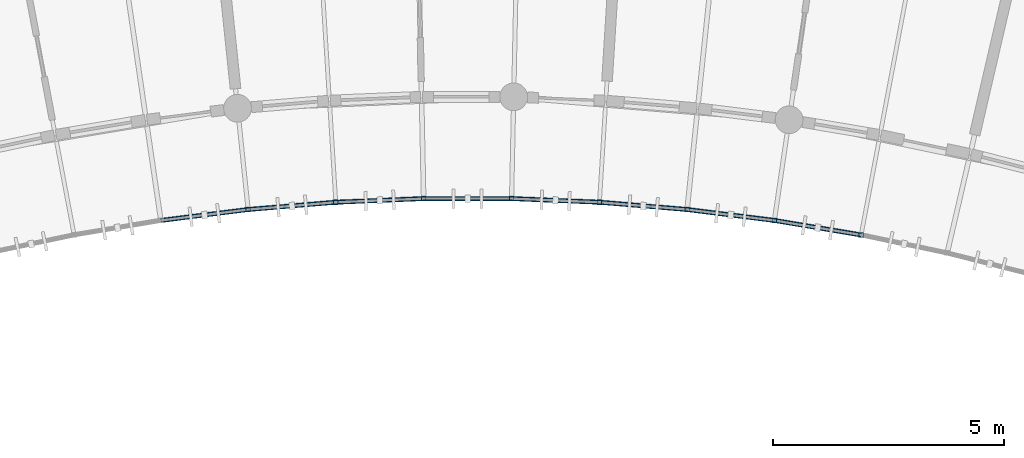
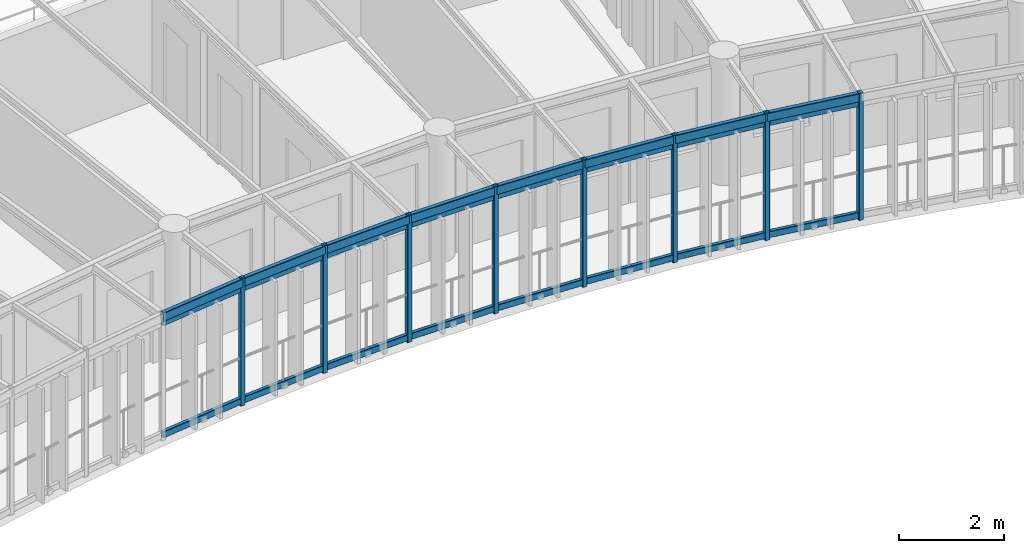
# One storey, part 29 of 101: 24 members, 8 beams.
"""IFC4 building model written with IfcOpenShell, lengths in metres."""

from ifc_helpers import new_model, si_unit, direction, frame, origin, origin_2d, place, context, subcontext, project, spatial, hollow_rectangle, extrude, material, material_profile, profile_set, type_object, element, save


model = new_model("IFC4")

# Units and contexts
model_context = context("Model", 3, precision=1e-05, world=origin(), true_north=direction((0.0, 1.0)))
body_context = subcontext(model_context, "Body", "Model", "MODEL_VIEW")
ifc_project = project(units=[si_unit("LENGTHUNIT", "METRE"), si_unit("AREAUNIT", "SQUARE_METRE"), si_unit("VOLUMEUNIT", "CUBIC_METRE"), si_unit("PLANEANGLEUNIT", "RADIAN"), si_unit("MASSUNIT", "GRAM", prefix="KILO"), si_unit("POWERUNIT", "WATT"), si_unit("THERMODYNAMICTEMPERATUREUNIT", "KELVIN")], contexts=[model_context])

# Site, building, storey
site_placement = place(None, origin())
site = spatial("IfcSite", under=ifc_project, at=site_placement, CompositionType="ELEMENT")
building_placement = place(site_placement, origin())
building = spatial("IfcBuilding", under=site, at=building_placement, Name="Ruvembo Vaulted Housing Court", CompositionType="ELEMENT")
storey_placement = place(building_placement, frame((0.0, 0.0, 17.300048828125)))
storey = spatial("IfcBuildingStorey", under=building, at=storey_placement, Name="L05", CompositionType="ELEMENT", Elevation=17.300048828125)

# Beams
ifc_material = material(Name="Steel S355J2", Category="steel")
ifc_material_profile_1 = material_profile(ifc_material, hollow_rectangle(XDim=0.10009765625, YDim=0.199951171875, WallThickness=0.008056640625, InnerFilletRadius=0.008056640625, OuterFilletRadius=0.01611328125, at=origin_2d()), Name="RHS 200x100x8")
ifc_profile_set_1 = profile_set([ifc_material_profile_1], Name="Steel S355J2")
beam_type = type_object("IfcBeamType", Name="BM-ST-RHS200", PredefinedType="SPANDREL", material=ifc_profile_set_1)
for number, where, z_axis, x_axis, name in (
    (1, (110.369140625, 95.3173828125, 2.83203125), (0.992244255502, 0.124303408739, 0.0), (-0.124303408739, 0.992244255502, 0.0), "Scoop SC3 L05 Balcony Edge Spandrel 11"),
    (2, (112.255615234375, 95.5537109375, 2.83203125), (0.99656344911, 0.082832915551, 0.0), (-0.082832915551, 0.99656344911, 0.0), "Scoop SC3 L05 Balcony Edge Spandrel 12"),
    (3, (114.150146484375, 95.711181640625, 2.83203125), (0.999139293915, 0.041480975827, 0.0), (-0.041480975827, 0.999139293915, 0.0), "Scoop SC3 L05 Balcony Edge Spandrel 13"),
):
    element("IfcBeam", number, at=place(storey_placement, frame(where, z_axis=z_axis, x_axis=x_axis)), inside=storey, type_object=beam_type, Name=name, PredefinedType="SPANDREL", context=body_context, shape_type="SweptSolid", body=[
        extrude(hollow_rectangle(XDim=0.10009765625, YDim=0.199951171875, WallThickness=0.008056640625, InnerFilletRadius=0.008056640625, OuterFilletRadius=0.01611328125, at=origin_2d()), origin(), (0.0, 0.0, 1.0), 1.901123046875),
    ])
beam_1_placement = place(storey_placement, frame((116.049560546875, 95.7900390625, 2.83203125), z_axis=(1.0, 0.0, 0.0), x_axis=(0.0, 1.0, 0.0)))
element("IfcBeam", 4, at=beam_1_placement, inside=storey, type_object=beam_type, Name="Scoop SC3 L05 Balcony Edge Spandrel 14", PredefinedType="SPANDREL", context=body_context, shape_type="SweptSolid", body=[
    extrude(hollow_rectangle(XDim=0.10009765625, YDim=0.199951171875, WallThickness=0.008056640625, InnerFilletRadius=0.008056640625, OuterFilletRadius=0.01611328125, at=origin_2d()), origin(), (0.0, 0.0, 1.0), 1.90087890625),
])
for number, where, z_axis, x_axis, name in (
    (5, (117.950439453125, 95.7900390625, 2.83203125), (0.999139293915, -0.041480975827, 0.0), (0.041480975827, 0.999139293915, 0.0), "Scoop SC3 L05 Balcony Edge Spandrel 15"),
    (6, (119.849853515625, 95.711181640625, 2.83203125), (0.99656344911, -0.082832915551, 0.0), (0.082832915551, 0.99656344911, 0.0), "Scoop SC3 L05 Balcony Edge Spandrel 16"),
    (7, (121.744384765625, 95.5537109375, 2.83203125), (0.992244255502, -0.124303408739, 0.0), (0.124303408739, 0.992244255502, 0.0), "Scoop SC3 L05 Balcony Edge Spandrel 17"),
):
    element("IfcBeam", number, at=place(storey_placement, frame(where, z_axis=z_axis, x_axis=x_axis)), inside=storey, type_object=beam_type, Name=name, PredefinedType="SPANDREL", context=body_context, shape_type="SweptSolid", body=[
        extrude(hollow_rectangle(XDim=0.10009765625, YDim=0.199951171875, WallThickness=0.008056640625, InnerFilletRadius=0.008056640625, OuterFilletRadius=0.01611328125, at=origin_2d()), origin(), (0.0, 0.0, 1.0), 1.901123046875),
    ])
beam_2_placement = place(storey_placement, frame((123.630859375, 95.3173828125, 2.83203125), z_axis=(0.986265186139, -0.165169557153, 0.0), x_axis=(0.165169557153, 0.986265186139, 0.0)))
element("IfcBeam", 8, at=beam_2_placement, inside=storey, type_object=beam_type, Name="Scoop SC3 L05 Balcony Edge Spandrel 18", PredefinedType="SPANDREL", context=body_context, shape_type="SweptSolid", body=[
    extrude(hollow_rectangle(XDim=0.10009765625, YDim=0.199951171875, WallThickness=0.008056640625, InnerFilletRadius=0.008056640625, OuterFilletRadius=0.01611328125, at=origin_2d()), origin(), (0.0, 0.0, 1.0), 1.90087890625),
])

# Members
ifc_material_profile_2 = material_profile(ifc_material, hollow_rectangle(XDim=0.06005859375, YDim=0.1201171875, WallThickness=0.0048828125, InnerFilletRadius=0.0048828125, OuterFilletRadius=0.010009765625, at=origin_2d()), Name="RHS 120x60x5")
ifc_profile_set_2 = profile_set([ifc_material_profile_2], Name="Steel S355J2")
member_type_1 = type_object("IfcMemberType", Name="MEM-CAR-RHS120", PredefinedType="CHORD", material=ifc_profile_set_2)
for number, where, z_axis, x_axis, name in (
    (9, (110.369140625, 95.3173828125, 2.675048828125), (0.992244255502, 0.124303408739, 0.0), (-0.124303408739, 0.992244255502, 0.0), "Scoop SC3 L05 Upper Louvre Carrier Rail 11"),
    (10, (112.255615234375, 95.5537109375, 2.675048828125), (0.99656344911, 0.082832915551, 0.0), (-0.082832915551, 0.99656344911, 0.0), "Scoop SC3 L05 Upper Louvre Carrier Rail 12"),
    (11, (114.150146484375, 95.711181640625, 2.675048828125), (0.999139293915, 0.041480975827, 0.0), (-0.041480975827, 0.999139293915, 0.0), "Scoop SC3 L05 Upper Louvre Carrier Rail 13"),
):
    element("IfcMember", number, at=place(storey_placement, frame(where, z_axis=z_axis, x_axis=x_axis)), inside=storey, type_object=member_type_1, Name=name, PredefinedType="CHORD", context=body_context, shape_type="SweptSolid", body=[
        extrude(hollow_rectangle(XDim=0.06005859375, YDim=0.1201171875, WallThickness=0.0048828125, InnerFilletRadius=0.0048828125, OuterFilletRadius=0.010009765625, at=origin_2d()), origin(), (0.0, 0.0, 1.0), 1.901123046875),
    ])
member_1_placement = place(storey_placement, frame((116.049560546875, 95.7900390625, 2.675048828125), z_axis=(1.0, 0.0, 0.0), x_axis=(0.0, 1.0, 0.0)))
element("IfcMember", 12, at=member_1_placement, inside=storey, type_object=member_type_1, Name="Scoop SC3 L05 Upper Louvre Carrier Rail 14", PredefinedType="CHORD", context=body_context, shape_type="SweptSolid", body=[
    extrude(hollow_rectangle(XDim=0.06005859375, YDim=0.1201171875, WallThickness=0.0048828125, InnerFilletRadius=0.0048828125, OuterFilletRadius=0.010009765625, at=origin_2d()), origin(), (0.0, 0.0, 1.0), 1.90087890625),
])
for number, where, z_axis, x_axis, name in (
    (13, (117.950439453125, 95.7900390625, 2.675048828125), (0.999139293915, -0.041480975827, 0.0), (0.041480975827, 0.999139293915, 0.0), "Scoop SC3 L05 Upper Louvre Carrier Rail 15"),
    (14, (119.849853515625, 95.711181640625, 2.675048828125), (0.99656344911, -0.082832915551, 0.0), (0.082832915551, 0.99656344911, 0.0), "Scoop SC3 L05 Upper Louvre Carrier Rail 16"),
    (15, (121.744384765625, 95.5537109375, 2.675048828125), (0.992244255502, -0.124303408739, 0.0), (0.124303408739, 0.992244255502, 0.0), "Scoop SC3 L05 Upper Louvre Carrier Rail 17"),
):
    element("IfcMember", number, at=place(storey_placement, frame(where, z_axis=z_axis, x_axis=x_axis)), inside=storey, type_object=member_type_1, Name=name, PredefinedType="CHORD", context=body_context, shape_type="SweptSolid", body=[
        extrude(hollow_rectangle(XDim=0.06005859375, YDim=0.1201171875, WallThickness=0.0048828125, InnerFilletRadius=0.0048828125, OuterFilletRadius=0.010009765625, at=origin_2d()), origin(), (0.0, 0.0, 1.0), 1.901123046875),
    ])
member_2_placement = place(storey_placement, frame((123.630859375, 95.3173828125, 2.675048828125), z_axis=(0.986265186139, -0.165169557153, 0.0), x_axis=(0.165169557153, 0.986265186139, 0.0)))
element("IfcMember", 16, at=member_2_placement, inside=storey, type_object=member_type_1, Name="Scoop SC3 L05 Upper Louvre Carrier Rail 18", PredefinedType="CHORD", context=body_context, shape_type="SweptSolid", body=[
    extrude(hollow_rectangle(XDim=0.06005859375, YDim=0.1201171875, WallThickness=0.0048828125, InnerFilletRadius=0.0048828125, OuterFilletRadius=0.010009765625, at=origin_2d()), origin(), (0.0, 0.0, 1.0), 1.90087890625),
])
ifc_material_profile_3 = material_profile(ifc_material, hollow_rectangle(XDim=0.080078125, YDim=0.14990234375, WallThickness=0.00634765625, InnerFilletRadius=0.00634765625, OuterFilletRadius=0.0126953125, at=origin_2d()), Name="RHS 150x80x6.3")
ifc_profile_set_3 = profile_set([ifc_material_profile_3], Name="Steel S355J2")
member_type_2 = type_object("IfcMemberType", Name="MEM-CAR-RHS150", PredefinedType="CHORD", material=ifc_profile_set_3)
for number, where, z_axis, x_axis, name in (
    (17, (110.369140625, 95.3173828125, 0.094970703125), (0.992244255502, 0.124303408739, 0.0), (-0.124303408739, 0.992244255502, 0.0), "Scoop SC3 L05 Lower Louvre Carrier Rail 11"),
    (18, (112.255615234375, 95.5537109375, 0.094970703125), (0.99656344911, 0.082832915551, 0.0), (-0.082832915551, 0.99656344911, 0.0), "Scoop SC3 L05 Lower Louvre Carrier Rail 12"),
    (19, (114.150146484375, 95.711181640625, 0.094970703125), (0.999139293915, 0.041480975827, 0.0), (-0.041480975827, 0.999139293915, 0.0), "Scoop SC3 L05 Lower Louvre Carrier Rail 13"),
):
    element("IfcMember", number, at=place(storey_placement, frame(where, z_axis=z_axis, x_axis=x_axis)), inside=storey, type_object=member_type_2, Name=name, PredefinedType="CHORD", context=body_context, shape_type="SweptSolid", body=[
        extrude(hollow_rectangle(XDim=0.080078125, YDim=0.14990234375, WallThickness=0.00634765625, InnerFilletRadius=0.00634765625, OuterFilletRadius=0.0126953125, at=origin_2d()), origin(), (0.0, 0.0, 1.0), 1.901123046875),
    ])
member_3_placement = place(storey_placement, frame((116.049560546875, 95.7900390625, 0.094970703125), z_axis=(1.0, 0.0, 0.0), x_axis=(0.0, 1.0, 0.0)))
element("IfcMember", 20, at=member_3_placement, inside=storey, type_object=member_type_2, Name="Scoop SC3 L05 Lower Louvre Carrier Rail 14", PredefinedType="CHORD", context=body_context, shape_type="SweptSolid", body=[
    extrude(hollow_rectangle(XDim=0.080078125, YDim=0.14990234375, WallThickness=0.00634765625, InnerFilletRadius=0.00634765625, OuterFilletRadius=0.0126953125, at=origin_2d()), origin(), (0.0, 0.0, 1.0), 1.90087890625),
])
for number, where, z_axis, x_axis, name in (
    (21, (117.950439453125, 95.7900390625, 0.094970703125), (0.999139293915, -0.041480975827, 0.0), (0.041480975827, 0.999139293915, 0.0), "Scoop SC3 L05 Lower Louvre Carrier Rail 15"),
    (22, (119.849853515625, 95.711181640625, 0.094970703125), (0.99656344911, -0.082832915551, 0.0), (0.082832915551, 0.99656344911, 0.0), "Scoop SC3 L05 Lower Louvre Carrier Rail 16"),
    (23, (121.744384765625, 95.5537109375, 0.094970703125), (0.992244255502, -0.124303408739, 0.0), (0.124303408739, 0.992244255502, 0.0), "Scoop SC3 L05 Lower Louvre Carrier Rail 17"),
):
    element("IfcMember", number, at=place(storey_placement, frame(where, z_axis=z_axis, x_axis=x_axis)), inside=storey, type_object=member_type_2, Name=name, PredefinedType="CHORD", context=body_context, shape_type="SweptSolid", body=[
        extrude(hollow_rectangle(XDim=0.080078125, YDim=0.14990234375, WallThickness=0.00634765625, InnerFilletRadius=0.00634765625, OuterFilletRadius=0.0126953125, at=origin_2d()), origin(), (0.0, 0.0, 1.0), 1.901123046875),
    ])
member_4_placement = place(storey_placement, frame((123.630859375, 95.3173828125, 0.094970703125), z_axis=(0.986265186139, -0.165169557153, 0.0), x_axis=(0.165169557153, 0.986265186139, 0.0)))
element("IfcMember", 24, at=member_4_placement, inside=storey, type_object=member_type_2, Name="Scoop SC3 L05 Lower Louvre Carrier Rail 18", PredefinedType="CHORD", context=body_context, shape_type="SweptSolid", body=[
    extrude(hollow_rectangle(XDim=0.080078125, YDim=0.14990234375, WallThickness=0.00634765625, InnerFilletRadius=0.00634765625, OuterFilletRadius=0.0126953125, at=origin_2d()), origin(), (0.0, 0.0, 1.0), 1.90087890625),
])
ifc_material_profile_4 = material_profile(ifc_material, hollow_rectangle(XDim=0.10009765625, YDim=0.10009765625, WallThickness=0.00634765625, InnerFilletRadius=0.00634765625, OuterFilletRadius=0.0126953125, at=origin_2d()), Name="SHS 100x100x6.3")
ifc_profile_set_4 = profile_set([ifc_material_profile_4], Name="Steel S355J2")
member_type_3 = type_object("IfcMemberType", Name="MEM-FRM-SHS100", PredefinedType="STRUT", material=ifc_profile_set_4)
for number, where, z_axis, x_axis, name in (
    (25, (112.255615234375, 95.5537109375, -0.01513671875), (0.0, 0.0, 1.0), (1.0, 0.0, 0.0), "Scoop SC3 L05 Louvre Frame Post 12"),
    (26, (114.150146484375, 95.711181640625, -0.01513671875), (0.0, 0.0, 1.0), (1.0, 0.0, 0.0), "Scoop SC3 L05 Louvre Frame Post 13"),
    (27, (116.049560546875, 95.7900390625, -0.01513671875), (0.0, 0.0, 1.0), (1.0, 0.0, 0.0), "Scoop SC3 L05 Louvre Frame Post 14"),
    (28, (117.950439453125, 95.7900390625, -0.01513671875), (0.0, 0.0, 1.0), (1.0, 0.0, 0.0), "Scoop SC3 L05 Louvre Frame Post 15"),
    (29, (119.849853515625, 95.711181640625, -0.01513671875), (0.0, 0.0, 1.0), (1.0, 0.0, 0.0), "Scoop SC3 L05 Louvre Frame Post 16"),
    (30, (121.744384765625, 95.5537109375, -0.01513671875), (0.0, 0.0, 1.0), (1.0, 0.0, 0.0), "Scoop SC3 L05 Louvre Frame Post 17"),
    (31, (123.630859375, 95.3173828125, -0.01513671875), (0.0, 0.0, 1.0), (1.0, 0.0, 0.0), "Scoop SC3 L05 Louvre Frame Post 18"),
    (32, (125.505615234375, 95.00341796875, -0.01513671875), (0.0, 0.0, 1.0), (1.0, 0.0, 0.0), "Scoop SC3 L05 Louvre Frame Post 19"),
):
    element("IfcMember", number, at=place(storey_placement, frame(where, z_axis=z_axis, x_axis=x_axis)), inside=storey, type_object=member_type_3, Name=name, PredefinedType="STRUT", context=body_context, shape_type="SweptSolid", body=[
        extrude(hollow_rectangle(XDim=0.10009765625, YDim=0.10009765625, WallThickness=0.00634765625, InnerFilletRadius=0.00634765625, OuterFilletRadius=0.0126953125, at=origin_2d()), origin(), (0.0, 0.0, 1.0), 2.953125),
    ])

save(model, "model.ifc")
